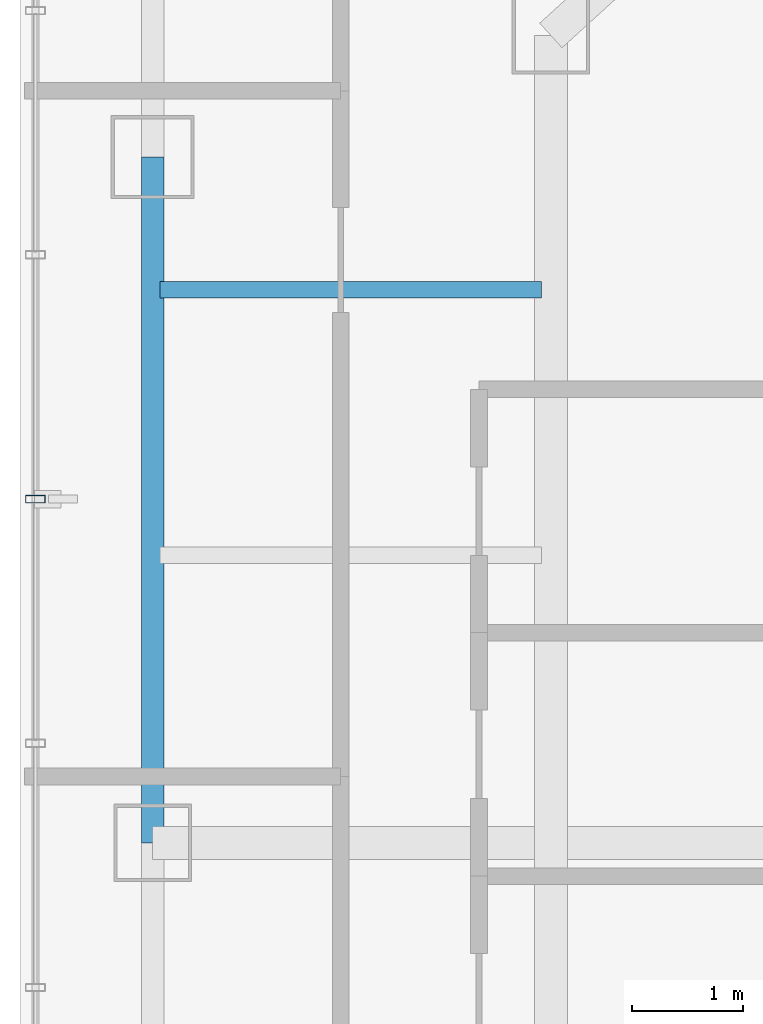
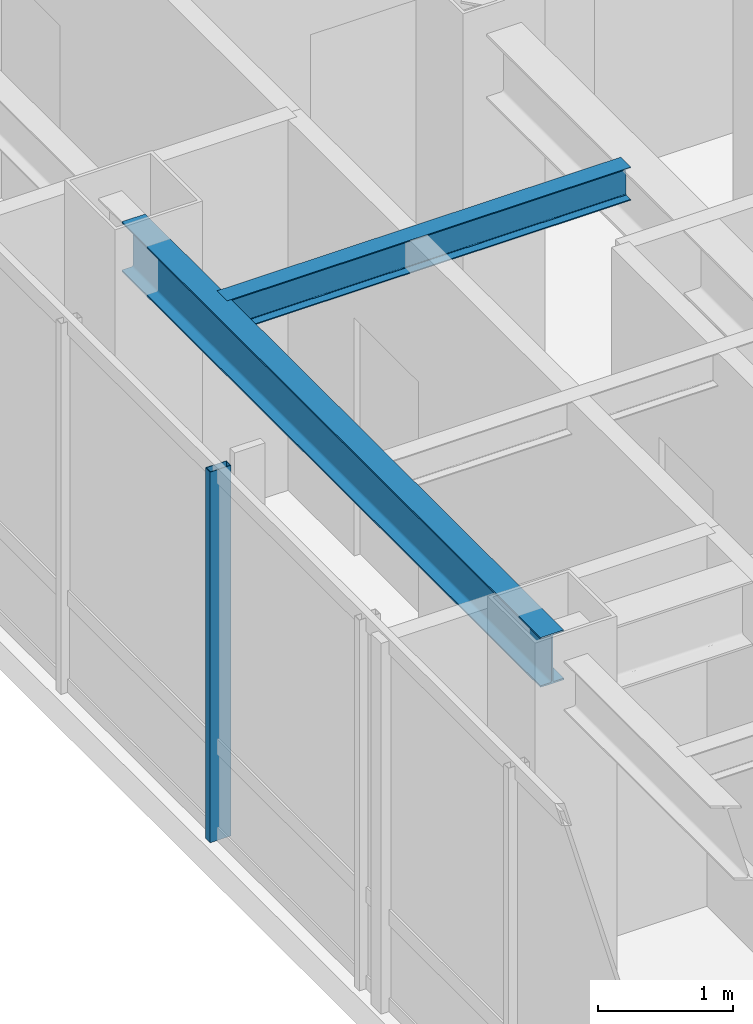
# One storey, part 8 of 26: 2 beams, 1 member, 1 element without a shape of its own.
"""IFC4 building model written with IfcOpenShell, lengths in metres."""

import ifcopenshell
import ifcopenshell.guid

model = None  # the IFC model being written
_history = None  # IfcOwnerHistory: only IFC2X3 demands one
_inside = {}  # id of a spatial element -> (the spatial element, [elements in it])
_under = {}  # id of a project, library or spatial element -> (it, [spatial elements below it])
_declared = {}  # id of a project -> (the project, [libraries it declares])
_typed = {}  # id of a type object -> (the type object, [elements of that type])
_made_of = {}  # id of a material, layer set ... -> (it, [elements and type objects made of it])


def new_model(schema):
    """Start an empty IFC model of exactly this schema.

    Asked for "IFC4X3", IfcOpenShell would pick the latest addendum, in which some entities
    have other attributes; the version numbers below select the first issue.
    IFC2X3 requires an IfcOwnerHistory on every rooted entity: one is made here for all.
    """
    global model, _history
    if schema == "IFC4X3":
        model = ifcopenshell.file(schema_version=(4, 3, 0, 0))
    else:
        model = ifcopenshell.file(schema=schema)
    _inside.clear()
    _under.clear()
    _declared.clear()
    _typed.clear()
    _made_of.clear()
    _history = None
    if model.schema == "IFC2X3":
        org = make("IfcOrganization", Name="unknown")
        user = make(
            "IfcPersonAndOrganization",
            ThePerson=make("IfcPerson", FamilyName="unknown"),
            TheOrganization=org,
        )
        app = make(
            "IfcApplication",
            ApplicationDeveloper=org,
            Version="unknown",
            ApplicationFullName="unknown",
            ApplicationIdentifier="unknown",
        )
        _history = make(
            "IfcOwnerHistory",
            OwningUser=user,
            OwningApplication=app,
            ChangeAction="ADDED",
            CreationDate=0,
        )
    return model


def make(cls, **values):
    """One entity of the class cls with the attributes given. An attribute that is None is left unset."""
    return model.create_entity(
        cls, **{name: value for name, value in values.items() if value is not None}
    )


def rooted(cls, **values):
    """An entity with a GlobalId (a new one), such as an element, a storey or a relation."""
    return make(cls, GlobalId=ifcopenshell.guid.new(), OwnerHistory=_history, **values)


def si_unit(unit_type, name, prefix=None):
    """IfcSIUnit, for example si_unit("LENGTHUNIT", "METRE", prefix="MILLI")."""
    return make("IfcSIUnit", UnitType=unit_type, Prefix=prefix, Name=name)


def assignment(units):
    """IfcUnitAssignment: the units of a project."""
    return None if units is None else make("IfcUnitAssignment", Units=units)


def point(xyz):
    """IfcCartesianPoint."""
    return None if xyz is None else make("IfcCartesianPoint", Coordinates=xyz)


def direction(xyz):
    """IfcDirection."""
    return None if xyz is None else make("IfcDirection", DirectionRatios=xyz)


def frame(location, z_axis=None, x_axis=None):
    """IfcAxis2Placement3D, a coordinate frame: its origin and axes. An axis left out is left unset."""
    return make(
        "IfcAxis2Placement3D",
        Location=point(location),
        Axis=direction(z_axis),
        RefDirection=direction(x_axis),
    )


def frame_2d(location, x_axis=None):
    """IfcAxis2Placement2D, a coordinate frame in the plane: its origin and x axis."""
    return make(
        "IfcAxis2Placement2D", Location=point(location), RefDirection=direction(x_axis)
    )


def origin():
    """The frame at (0, 0, 0) with its axes left unset."""
    return frame((0.0, 0.0, 0.0))


def origin_2d():
    """The frame at (0, 0) in the plane with its x axis left unset."""
    return frame_2d((0.0, 0.0))


def place(relative_to, where):
    """IfcLocalPlacement: puts the frame where relative to a parent placement (None: the world)."""
    return make(
        "IfcLocalPlacement", PlacementRelTo=relative_to, RelativePlacement=where
    )


def context(
    kind, dimensions, precision=None, world=None, true_north=None, identifier=None
):
    """IfcGeometricRepresentationContext, for example the 3D "Model" context."""
    return make(
        "IfcGeometricRepresentationContext",
        ContextIdentifier=identifier,
        ContextType=kind,
        CoordinateSpaceDimension=dimensions,
        Precision=precision,
        WorldCoordinateSystem=world,
        TrueNorth=true_north,
    )


def subcontext(parent, identifier, kind, view, scale=None):
    """IfcGeometricRepresentationSubContext, for example "Body" below "Model"."""
    return make(
        "IfcGeometricRepresentationSubContext",
        ContextIdentifier=identifier,
        ContextType=kind,
        ParentContext=parent,
        TargetScale=scale,
        TargetView=view,
    )


def project(units=None, contexts=None):
    """IfcProject with its units and contexts."""
    return rooted(
        "IfcProject",
        Name="project",
        RepresentationContexts=contexts,
        UnitsInContext=assignment(units),
    )


def spatial(cls, under=None, at=None, **own):
    """A site, building, storey or space (cls), placed at a placement, below another one or the project."""
    s = rooted(cls, ObjectPlacement=at, **own)
    if under is not None:
        _under.setdefault(under.id(), (under, []))[1].append(s)
    return s


def profile(cls, at=None, kind="AREA", **sizes):
    """A parametric profile (cls). Its sizes go by their IFC names, for example OverallWidth=200.0."""
    return make(cls, ProfileType=kind, Position=at, **sizes)


def hollow_rectangle(**sizes):
    """IfcRectangleHollowProfileDef."""
    return profile("IfcRectangleHollowProfileDef", **sizes)


def i_section(**sizes):
    """IfcIShapeProfileDef."""
    return profile("IfcIShapeProfileDef", **sizes)


def extrude(swept, where, along, depth):
    """IfcExtrudedAreaSolid: the profile swept, set in the frame where, extruded along a direction by depth."""
    return make(
        "IfcExtrudedAreaSolid",
        SweptArea=swept,
        Position=where,
        ExtrudedDirection=direction(along),
        Depth=depth,
    )


def shape(context_of_items, identifier, shape_type, items):
    """IfcShapeRepresentation: the items that make up one representation, for example the "Body"."""
    return make(
        "IfcShapeRepresentation",
        ContextOfItems=context_of_items,
        RepresentationIdentifier=identifier,
        RepresentationType=shape_type,
        Items=items,
    )


def material(Name=None, Category=None):
    """IfcMaterial."""
    return make("IfcMaterial", Name=Name, Category=Category)


def layer(
    of_material, thickness, ventilated=None, Name=None, Category=None, Priority=None
):
    """IfcMaterialLayer: one layer of a wall or slab, of a material (None: an air gap)."""
    return make(
        "IfcMaterialLayer",
        Material=of_material,
        LayerThickness=thickness,
        IsVentilated=ventilated,
        Name=Name,
        Category=Category,
        Priority=Priority,
    )


def layer_set(layers, Name=None):
    """IfcMaterialLayerSet."""
    return make("IfcMaterialLayerSet", MaterialLayers=layers, LayerSetName=Name)


def material_profile(
    of_material, cross_section, Name=None, Category=None, Priority=None
):
    """IfcMaterialProfile: a cross section and its material."""
    return make(
        "IfcMaterialProfile",
        Name=Name,
        Material=of_material,
        Profile=cross_section,
        Priority=Priority,
        Category=Category,
    )


def profile_set(profiles, Name=None, composite=None):
    """IfcMaterialProfileSet."""
    return make(
        "IfcMaterialProfileSet",
        Name=Name,
        MaterialProfiles=profiles,
        CompositeProfile=composite,
    )


def made_of(thing, what):
    """Note that an element or type object is made of a material, layer set ...; save() writes the relation."""
    if what is not None:
        _made_of.setdefault(what.id(), (what, []))[1].append(thing)
    return thing


def type_object(cls, material=None, **own):
    """A type object (cls), such as IfcWallType, which elements share."""
    return made_of(rooted(cls, **own), material)


def element(
    cls,
    number,
    at=None,
    inside=None,
    cuts=None,
    type_object=None,
    material=None,
    context=None,
    identifier="Body",
    shape_type=None,
    held_by="IfcProductDefinitionShape",
    body=None,
    shapes=None,
    **own,
):
    """One element of the class cls, such as IfcWall. Its Tag is "e" and its number.

    at: its placement. inside: the storey or other place that contains it. cuts: it is an
    opening in that element (IfcRelVoidsElement). A single representation is given by context,
    identifier, shape_type and body (its items); several are given by shapes. held_by: the class
    of the entity that holds the representations. save() writes the other relations.
    """
    e = rooted(cls, Tag="e%d" % number, ObjectPlacement=at, **own)
    if body is not None:
        shapes = [shape(context, identifier, shape_type, body)]
    if shapes is not None:
        e.Representation = make(held_by, Representations=shapes)
    if inside is not None:
        _inside.setdefault(inside.id(), (inside, []))[1].append(e)
    if cuts is not None:
        rooted(
            "IfcRelVoidsElement", RelatingBuildingElement=cuts, RelatedOpeningElement=e
        )
    if type_object is not None:
        _typed.setdefault(type_object.id(), (type_object, []))[1].append(e)
    return made_of(e, material)


def aggregate(whole, parts):
    """IfcRelAggregates: a whole, such as a stair, and the parts it consists of."""
    return rooted("IfcRelAggregates", RelatingObject=whole, RelatedObjects=parts)


def save(model, path):
    """Write the relations noted so far, then the file.

    IfcRelAggregates (storeys below a building ...), IfcRelContainedInSpatialStructure (elements
    in a storey), IfcRelDefinesByType, IfcRelAssociatesMaterial and IfcRelDeclares: one each for
    every whole, place, type object, material and project.
    """
    for whole, parts in _under.values():
        aggregate(whole, parts)
    for where, things in _inside.values():
        rooted(
            "IfcRelContainedInSpatialStructure",
            RelatedElements=things,
            RelatingStructure=where,
        )
    for kind, things in _typed.values():
        rooted("IfcRelDefinesByType", RelatedObjects=things, RelatingType=kind)
    for what, things in _made_of.values():
        rooted("IfcRelAssociatesMaterial", RelatedObjects=things, RelatingMaterial=what)
    for by, libraries in _declared.values():
        rooted("IfcRelDeclares", RelatingContext=by, RelatedDefinitions=libraries)
    model.write(path)


model = new_model("IFC4")

# Units and contexts
model_context = context("Model", 3, precision=1e-05, world=origin(), true_north=direction((0.0, 1.0)))
body_context = subcontext(model_context, "Body", "Model", "MODEL_VIEW")
ifc_project = project(units=[si_unit("LENGTHUNIT", "METRE"), si_unit("AREAUNIT", "SQUARE_METRE"), si_unit("VOLUMEUNIT", "CUBIC_METRE"), si_unit("PLANEANGLEUNIT", "RADIAN"), si_unit("MASSUNIT", "GRAM", prefix="KILO")], contexts=[model_context])

# Site, building, storey
site_placement = place(None, origin())
site = spatial("IfcSite", under=ifc_project, at=site_placement, CompositionType="ELEMENT")
building_placement = place(site_placement, origin())
building = spatial("IfcBuilding", under=site, at=building_placement, Name="Hatsunagi Terrace Concourse", CompositionType="ELEMENT")
storey_placement = place(building_placement, frame((0.0, 0.0, 209.550048828125)))
storey = spatial("IfcBuildingStorey", under=building, at=storey_placement, Name="L55", CompositionType="ELEMENT", Elevation=209.550048828125)

# Curtain wall, member
ifc_material_1 = material(Name="Anodised Aluminium Alloy 6063-T5", Category="aluminium")
ifc_layer = layer(ifc_material_1, 0.199951171875)
ifc_layer_set = layer_set([ifc_layer], Name="OfficeZone2_CW04")
curtain_wall_type = type_object("IfcCurtainWallType", Name="OfficeZone2_CW04", PredefinedType="NOTDEFINED", material=ifc_layer_set)
curtain_wall_placement = place(storey_placement, origin())
curtain_wall = element("IfcCurtainWall", 1, at=curtain_wall_placement, inside=storey, type_object=curtain_wall_type, Name="Unitised Curtain Wall CW-04 CW-L55-08", PredefinedType="NOTDEFINED")
ifc_material_2 = material(Name="Anodised Aluminium Alloy 6063-T5", Category="aluminium")
ifc_material_profile_1 = material_profile(ifc_material_2, hollow_rectangle(XDim=0.070068359375, YDim=0.179931640625, WallThickness=0.00390625, at=origin_2d()), Name="ALU-MUL-180x70x4")
ifc_profile_set_1 = profile_set([ifc_material_profile_1], Name="Anodised Aluminium Alloy 6063-T5")
member_type = type_object("IfcMemberType", Name="CurtainWallMullion_180x70", PredefinedType="MULLION", material=ifc_profile_set_1)
member_placement = place(storey_placement, frame((18.139892578125, 39.10791015625, 0.0), z_axis=(0.0, 0.0, 1.0), x_axis=(0.0, 1.0, 0.0)))
member = element("IfcMember", 2, at=member_placement, type_object=member_type, Name="Curtain Wall Mullion MUL-02", PredefinedType="MULLION", context=body_context, shape_type="SweptSolid", body=[
    extrude(hollow_rectangle(XDim=0.070068359375, YDim=0.179931640625, WallThickness=0.00390625, at=origin_2d()), origin(), (0.0, 0.0, 1.0), 3.349853515625),
])
aggregate(curtain_wall, [member])

# Beams
ifc_material_3 = material(Name="Steel SN490B", Category="steel")
ifc_material_profile_2 = material_profile(ifc_material_3, i_section(OverallWidth=0.14990234375, OverallDepth=0.300048828125, WebThickness=0.006591796875, FlangeThickness=0.009033203125, FilletRadius=0.010986328125, at=origin_2d()), Name="H-300x150x6.5x9")
ifc_profile_set_2 = profile_set([ifc_material_profile_2], Name="Steel SN490B")
beam_type_1 = type_object("IfcBeamType", Name="OfficeJoist_H_300x150", PredefinedType="JOIST", material=ifc_profile_set_2)
beam_1_placement = place(storey_placement, frame((19.264892578125, 41.0, 3.199951171875), z_axis=(1.0, 0.0, 0.0), x_axis=(0.0, 1.0, 0.0)))
element("IfcBeam", 3, at=beam_1_placement, inside=storey, type_object=beam_type_1, Name="Beam J-03 J-L55-W-19-410", PredefinedType="JOIST", context=body_context, shape_type="SweptSolid", body=[
    extrude(i_section(OverallWidth=0.14990234375, OverallDepth=0.300048828125, WebThickness=0.006591796875, FlangeThickness=0.009033203125, FilletRadius=0.010986328125, at=origin_2d()), origin(), (0.0, 0.0, 1.0), 3.4501953125),
])
ifc_material_4 = material(Name="Steel SN490B", Category="steel")
ifc_material_profile_3 = material_profile(ifc_material_4, i_section(OverallWidth=0.199951171875, OverallDepth=0.449951171875, WebThickness=0.009033203125, FlangeThickness=0.013916015625, FilletRadius=0.01611328125, at=origin_2d()), Name="H-450x200x9x14")
ifc_profile_set_3 = profile_set([ifc_material_profile_3], Name="Steel SN490B")
beam_type_2 = type_object("IfcBeamType", Name="PerimeterSpandrel_H_450x200", PredefinedType="SPANDREL", material=ifc_profile_set_3)
beam_2_placement = place(storey_placement, frame((19.199951171875, 36.0, 3.125), z_axis=(0.0, 1.0, 0.0), x_axis=(-1.0, 0.0, 0.0)))
element("IfcBeam", 4, at=beam_2_placement, inside=storey, type_object=beam_type_2, Name="Beam SP-02 BM-L55-NS-19-36", PredefinedType="SPANDREL", context=body_context, shape_type="SweptSolid", body=[
    extrude(i_section(OverallWidth=0.199951171875, OverallDepth=0.449951171875, WebThickness=0.009033203125, FlangeThickness=0.013916015625, FilletRadius=0.01611328125, at=origin_2d()), origin(), (0.0, 0.0, 1.0), 6.199951171875),
])

save(model, "model.ifc")
